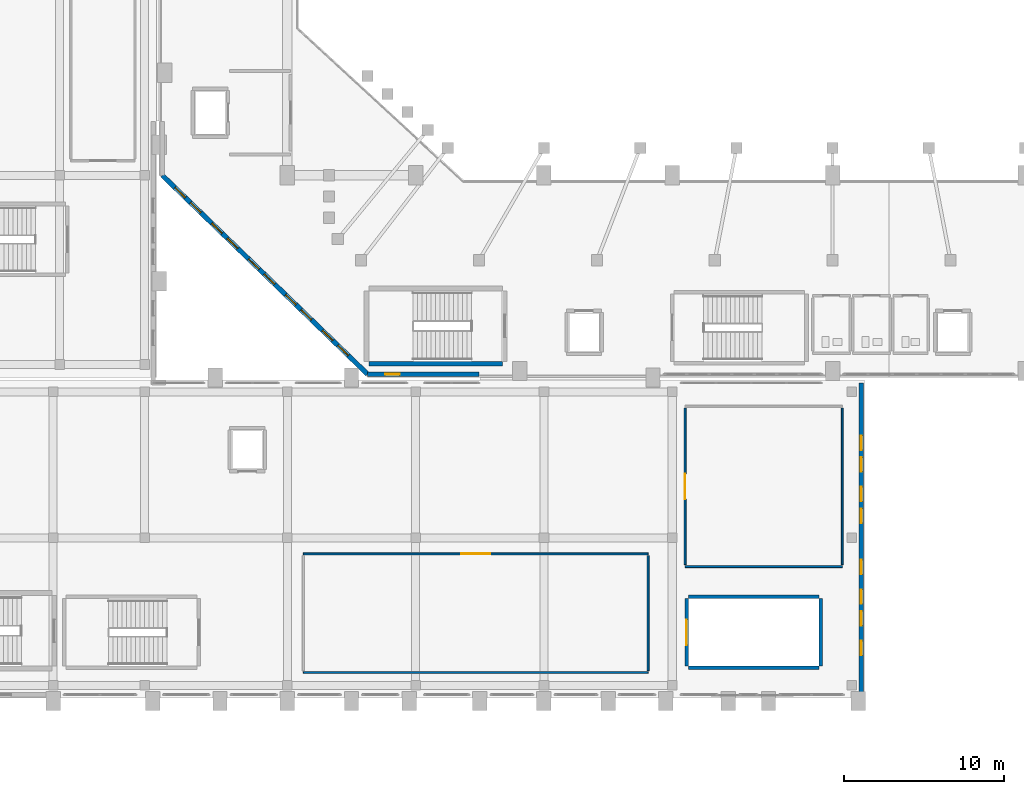
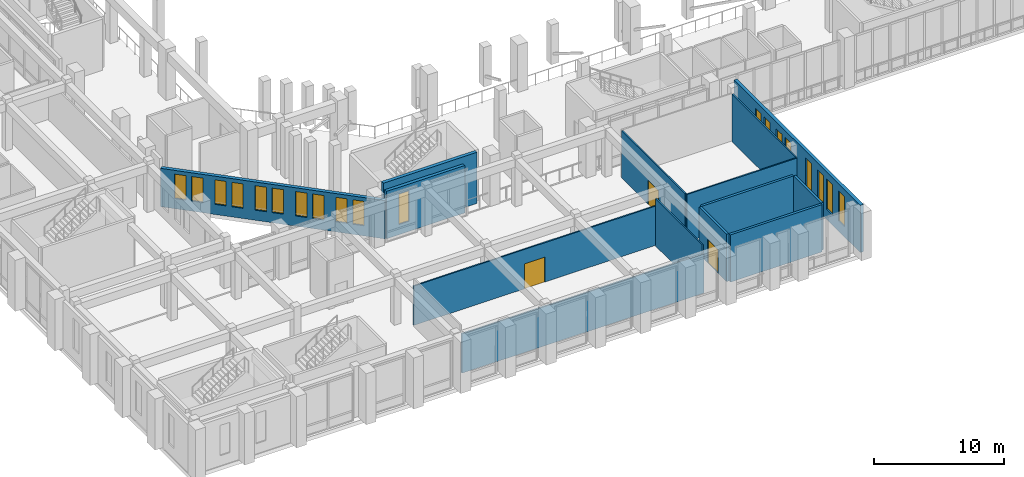
# One storey, part 90 of 126: 19 windows, 14 walls, 3 doors, 22 openings.
"""IFC4 building model written with IfcOpenShell, lengths in metres."""

import ifcopenshell
import ifcopenshell.guid

model = None  # the IFC model being written
_history = None  # IfcOwnerHistory: only IFC2X3 demands one
_inside = {}  # id of a spatial element -> (the spatial element, [elements in it])
_under = {}  # id of a project, library or spatial element -> (it, [spatial elements below it])
_declared = {}  # id of a project -> (the project, [libraries it declares])
_typed = {}  # id of a type object -> (the type object, [elements of that type])
_made_of = {}  # id of a material, layer set ... -> (it, [elements and type objects made of it])


def new_model(schema):
    """Start an empty IFC model of exactly this schema.

    Asked for "IFC4X3", IfcOpenShell would pick the latest addendum, in which some entities
    have other attributes; the version numbers below select the first issue.
    IFC2X3 requires an IfcOwnerHistory on every rooted entity: one is made here for all.
    """
    global model, _history
    if schema == "IFC4X3":
        model = ifcopenshell.file(schema_version=(4, 3, 0, 0))
    else:
        model = ifcopenshell.file(schema=schema)
    _inside.clear()
    _under.clear()
    _declared.clear()
    _typed.clear()
    _made_of.clear()
    _history = None
    if model.schema == "IFC2X3":
        org = make("IfcOrganization", Name="unknown")
        user = make(
            "IfcPersonAndOrganization",
            ThePerson=make("IfcPerson", FamilyName="unknown"),
            TheOrganization=org,
        )
        app = make(
            "IfcApplication",
            ApplicationDeveloper=org,
            Version="unknown",
            ApplicationFullName="unknown",
            ApplicationIdentifier="unknown",
        )
        _history = make(
            "IfcOwnerHistory",
            OwningUser=user,
            OwningApplication=app,
            ChangeAction="ADDED",
            CreationDate=0,
        )
    return model


def make(cls, **values):
    """One entity of the class cls with the attributes given. An attribute that is None is left unset."""
    return model.create_entity(
        cls, **{name: value for name, value in values.items() if value is not None}
    )


def rooted(cls, **values):
    """An entity with a GlobalId (a new one), such as an element, a storey or a relation."""
    return make(cls, GlobalId=ifcopenshell.guid.new(), OwnerHistory=_history, **values)


def si_unit(unit_type, name, prefix=None):
    """IfcSIUnit, for example si_unit("LENGTHUNIT", "METRE", prefix="MILLI")."""
    return make("IfcSIUnit", UnitType=unit_type, Prefix=prefix, Name=name)


def derived_unit(unit_type, elements):
    """IfcDerivedUnit: a product of units, each with its exponent."""
    return make(
        "IfcDerivedUnit",
        Elements=[
            make("IfcDerivedUnitElement", Unit=unit, Exponent=power)
            for unit, power in elements
        ],
        UnitType=unit_type,
    )


def assignment(units):
    """IfcUnitAssignment: the units of a project."""
    return None if units is None else make("IfcUnitAssignment", Units=units)


def point(xyz):
    """IfcCartesianPoint."""
    return None if xyz is None else make("IfcCartesianPoint", Coordinates=xyz)


def direction(xyz):
    """IfcDirection."""
    return None if xyz is None else make("IfcDirection", DirectionRatios=xyz)


def frame(location, z_axis=None, x_axis=None):
    """IfcAxis2Placement3D, a coordinate frame: its origin and axes. An axis left out is left unset."""
    return make(
        "IfcAxis2Placement3D",
        Location=point(location),
        Axis=direction(z_axis),
        RefDirection=direction(x_axis),
    )


def frame_2d(location, x_axis=None):
    """IfcAxis2Placement2D, a coordinate frame in the plane: its origin and x axis."""
    return make(
        "IfcAxis2Placement2D", Location=point(location), RefDirection=direction(x_axis)
    )


def origin():
    """The frame at (0, 0, 0) with its axes left unset."""
    return frame((0.0, 0.0, 0.0))


def place(relative_to, where):
    """IfcLocalPlacement: puts the frame where relative to a parent placement (None: the world)."""
    return make(
        "IfcLocalPlacement", PlacementRelTo=relative_to, RelativePlacement=where
    )


def context(
    kind, dimensions, precision=None, world=None, true_north=None, identifier=None
):
    """IfcGeometricRepresentationContext, for example the 3D "Model" context."""
    return make(
        "IfcGeometricRepresentationContext",
        ContextIdentifier=identifier,
        ContextType=kind,
        CoordinateSpaceDimension=dimensions,
        Precision=precision,
        WorldCoordinateSystem=world,
        TrueNorth=true_north,
    )


def subcontext(parent, identifier, kind, view, scale=None):
    """IfcGeometricRepresentationSubContext, for example "Body" below "Model"."""
    return make(
        "IfcGeometricRepresentationSubContext",
        ContextIdentifier=identifier,
        ContextType=kind,
        ParentContext=parent,
        TargetScale=scale,
        TargetView=view,
    )


def project(units=None, contexts=None):
    """IfcProject with its units and contexts."""
    return rooted(
        "IfcProject",
        Name="project",
        RepresentationContexts=contexts,
        UnitsInContext=assignment(units),
    )


def spatial(cls, under=None, at=None, **own):
    """A site, building, storey or space (cls), placed at a placement, below another one or the project."""
    s = rooted(cls, ObjectPlacement=at, **own)
    if under is not None:
        _under.setdefault(under.id(), (under, []))[1].append(s)
    return s


def profile(cls, at=None, kind="AREA", **sizes):
    """A parametric profile (cls). Its sizes go by their IFC names, for example OverallWidth=200.0."""
    return make(cls, ProfileType=kind, Position=at, **sizes)


def rectangle(**sizes):
    """IfcRectangleProfileDef."""
    return profile("IfcRectangleProfileDef", **sizes)


def extrude(swept, where, along, depth):
    """IfcExtrudedAreaSolid: the profile swept, set in the frame where, extruded along a direction by depth."""
    return make(
        "IfcExtrudedAreaSolid",
        SweptArea=swept,
        Position=where,
        ExtrudedDirection=direction(along),
        Depth=depth,
    )


def shape(context_of_items, identifier, shape_type, items):
    """IfcShapeRepresentation: the items that make up one representation, for example the "Body"."""
    return make(
        "IfcShapeRepresentation",
        ContextOfItems=context_of_items,
        RepresentationIdentifier=identifier,
        RepresentationType=shape_type,
        Items=items,
    )


def material(Name=None, Category=None):
    """IfcMaterial."""
    return make("IfcMaterial", Name=Name, Category=Category)


def layer(
    of_material, thickness, ventilated=None, Name=None, Category=None, Priority=None
):
    """IfcMaterialLayer: one layer of a wall or slab, of a material (None: an air gap)."""
    return make(
        "IfcMaterialLayer",
        Material=of_material,
        LayerThickness=thickness,
        IsVentilated=ventilated,
        Name=Name,
        Category=Category,
        Priority=Priority,
    )


def layer_set(layers, Name=None):
    """IfcMaterialLayerSet."""
    return make("IfcMaterialLayerSet", MaterialLayers=layers, LayerSetName=Name)


def made_of(thing, what):
    """Note that an element or type object is made of a material, layer set ...; save() writes the relation."""
    if what is not None:
        _made_of.setdefault(what.id(), (what, []))[1].append(thing)
    return thing


def type_object(cls, material=None, **own):
    """A type object (cls), such as IfcWallType, which elements share."""
    return made_of(rooted(cls, **own), material)


def element(
    cls,
    number,
    at=None,
    inside=None,
    cuts=None,
    type_object=None,
    material=None,
    context=None,
    identifier="Body",
    shape_type=None,
    held_by="IfcProductDefinitionShape",
    body=None,
    shapes=None,
    **own,
):
    """One element of the class cls, such as IfcWall. Its Tag is "e" and its number.

    at: its placement. inside: the storey or other place that contains it. cuts: it is an
    opening in that element (IfcRelVoidsElement). A single representation is given by context,
    identifier, shape_type and body (its items); several are given by shapes. held_by: the class
    of the entity that holds the representations. save() writes the other relations.
    """
    e = rooted(cls, Tag="e%d" % number, ObjectPlacement=at, **own)
    if body is not None:
        shapes = [shape(context, identifier, shape_type, body)]
    if shapes is not None:
        e.Representation = make(held_by, Representations=shapes)
    if inside is not None:
        _inside.setdefault(inside.id(), (inside, []))[1].append(e)
    if cuts is not None:
        rooted(
            "IfcRelVoidsElement", RelatingBuildingElement=cuts, RelatedOpeningElement=e
        )
    if type_object is not None:
        _typed.setdefault(type_object.id(), (type_object, []))[1].append(e)
    return made_of(e, material)


def fill(opening, filler):
    """IfcRelFillsElement: the door or window that sits in an opening."""
    return rooted(
        "IfcRelFillsElement",
        RelatingOpeningElement=opening,
        RelatedBuildingElement=filler,
    )


def aggregate(whole, parts):
    """IfcRelAggregates: a whole, such as a stair, and the parts it consists of."""
    return rooted("IfcRelAggregates", RelatingObject=whole, RelatedObjects=parts)


def save(model, path):
    """Write the relations noted so far, then the file.

    IfcRelAggregates (storeys below a building ...), IfcRelContainedInSpatialStructure (elements
    in a storey), IfcRelDefinesByType, IfcRelAssociatesMaterial and IfcRelDeclares: one each for
    every whole, place, type object, material and project.
    """
    for whole, parts in _under.values():
        aggregate(whole, parts)
    for where, things in _inside.values():
        rooted(
            "IfcRelContainedInSpatialStructure",
            RelatedElements=things,
            RelatingStructure=where,
        )
    for kind, things in _typed.values():
        rooted("IfcRelDefinesByType", RelatedObjects=things, RelatingType=kind)
    for what, things in _made_of.values():
        rooted("IfcRelAssociatesMaterial", RelatedObjects=things, RelatingMaterial=what)
    for by, libraries in _declared.values():
        rooted("IfcRelDeclares", RelatingContext=by, RelatedDefinitions=libraries)
    model.write(path)


model = new_model("IFC4")

# Units and contexts
model_context = context("Model", 3, precision=1e-05, world=origin(), true_north=direction((0.0, 1.0)))
body_context = subcontext(model_context, "Body", "Model", "MODEL_VIEW")
ifc_project = project(units=[si_unit("LENGTHUNIT", "METRE"), si_unit("AREAUNIT", "SQUARE_METRE"), si_unit("VOLUMEUNIT", "CUBIC_METRE"), si_unit("PLANEANGLEUNIT", "RADIAN"), si_unit("MASSUNIT", "GRAM", prefix="KILO"), derived_unit("THERMALTRANSMITTANCEUNIT", [(si_unit("MASSUNIT", "GRAM", prefix="KILO"), 1), (si_unit("TIMEUNIT", "SECOND"), -3), (si_unit("THERMODYNAMICTEMPERATUREUNIT", "KELVIN"), -1)])], contexts=[model_context])

# Site, building, storey
site_placement = place(None, origin())
site = spatial("IfcSite", under=ifc_project, at=site_placement, CompositionType="ELEMENT")
building_placement = place(site_placement, origin())
building = spatial("IfcBuilding", under=site, at=building_placement, Name="Valcora Ridge Arena", CompositionType="ELEMENT")
storey_placement = place(building_placement, frame((0.0, 0.0, 11.39990234375)))
storey = spatial("IfcBuildingStorey", under=building, at=storey_placement, Name="L02", CompositionType="ELEMENT", Elevation=11.39990234375)

# Wall, opening, window
ifc_material_1 = material(Name="Bush-hammered Andean travertine on concrete backup C40/50", Category="masonry")
ifc_layer_1 = layer(ifc_material_1, 0.280029296875, Name="Bush-hammered Andean travertine on concrete backup C40/50")
ifc_layer_set_1 = layer_set([ifc_layer_1], Name="Bush-hammered Andean travertine on concrete backup C40/50")
wall_type_1 = type_object("IfcWallType", Name="TY-WALL-EW-TRV-28-44", PredefinedType="STANDARD", material=ifc_layer_set_1)
wall_1_placement = place(storey_placement, frame((29.0, 20.199951171875, 0.0), z_axis=(0.0, 0.0, 1.0), x_axis=(1.0, 0.0, 0.0)))
wall_1 = element("IfcWall", 1, at=wall_1_placement, inside=storey, type_object=wall_type_1, Name="EW-TRV-28-44 WAL-EW-0050", PredefinedType="STANDARD", context=body_context, shape_type="SweptSolid", body=[
    extrude(rectangle(XDim=6.949951171875, YDim=0.280029296875, at=frame_2d((3.47509765625, 0.0))), origin(), (0.0, 0.0, 1.0), 4.4501953125),
])
opening_1_placement = place(wall_1_placement, frame((1.10009765625, 0.0, 0.949951171875)))
opening_1 = element("IfcOpeningElement", 2, at=opening_1_placement, cuts=wall_1, Name="Opening W-GLAN-90X285", PredefinedType="OPENING", context=body_context, shape_type="SweptSolid", body=[
    extrude(rectangle(XDim=0.89990234375, YDim=2.85009765625, at=frame_2d((0.449951171875, 1.425048828125))), frame((0.0, 0.14990234375, 0.0), z_axis=(0.0, -1.0, 0.0), x_axis=(1.0, 0.0, 0.0)), (0.0, 0.0, 1.0), 0.300048828125),
])
ifc_material_2 = material(Name="Low-iron solar-control double glazing SHGC 0.28", Category="glass")
window_type_1 = type_object("IfcWindowType", Name="TY-WINDOW-W-GLAN-90X285", PartitioningType="DOUBLE_PANEL_VERTICAL", PredefinedType="WINDOW", material=ifc_material_2)
window_1_placement = place(opening_1_placement, origin())
window_1 = element("IfcWindow", 3, at=window_1_placement, inside=storey, type_object=window_type_1, Name="W-GLAN-90X285 WIN-EX-0123", OverallHeight=2.85009765625, OverallWidth=0.89990234375, PartitioningType="DOUBLE_PANEL_VERTICAL", PredefinedType="WINDOW", context=body_context, shape_type="SweptSolid", body=[
    extrude(rectangle(XDim=0.89990234375, YDim=2.85009765625, at=frame_2d((0.449951171875, 1.425048828125))), frame((0.0, 0.030029296875, 0.0), z_axis=(0.0, -1.0, 0.0), x_axis=(1.0, 0.0, 0.0)), (0.0, 0.0, 1.0), 0.06005859375),
])
fill(opening_1, window_1)

# Wall, openings, windows
wall_2_placement = place(storey_placement, frame((59.780029296875, 0.219970703125, 0.0), z_axis=(0.0, 0.0, 1.0), x_axis=(0.0, 1.0, 0.0)))
wall_2 = element("IfcWall", 4, at=wall_2_placement, inside=storey, type_object=wall_type_1, Name="EW-TRV-28-44 WAL-EW-0086", PredefinedType="STANDARD", context=body_context, shape_type="SweptSolid", body=[
    extrude(rectangle(XDim=19.429931640625, YDim=0.280029296875, at=frame_2d((9.71484375, 0.0))), origin(), (0.0, 0.0, 1.0), 4.4501953125),
])
opening_2_placement = place(wall_2_placement, frame((2.449951171875, 0.0, 0.949951171875)))
opening_2 = element("IfcOpeningElement", 5, at=opening_2_placement, cuts=wall_2, Name="Opening W-GLAN-90X285", PredefinedType="OPENING", context=body_context, shape_type="SweptSolid", body=[
    extrude(rectangle(XDim=0.89990234375, YDim=2.85009765625, at=frame_2d((0.449951171875, 1.425048828125))), frame((0.0, 0.14990234375, 0.0), z_axis=(0.0, -1.0, 0.0), x_axis=(1.0, 0.0, 0.0)), (0.0, 0.0, 1.0), 0.300048828125),
])
opening_3_placement = place(wall_2_placement, frame((4.300048828125, 0.0, 0.949951171875)))
opening_3 = element("IfcOpeningElement", 6, at=opening_3_placement, cuts=wall_2, Name="Opening W-GLAN-90X285", PredefinedType="OPENING", context=body_context, shape_type="SweptSolid", body=[
    extrude(rectangle(XDim=0.89990234375, YDim=2.85009765625, at=frame_2d((0.449951171875, 1.425048828125))), frame((0.0, 0.14990234375, 0.0), z_axis=(0.0, -1.0, 0.0), x_axis=(1.0, 0.0, 0.0)), (0.0, 0.0, 1.0), 0.300048828125),
])
opening_4_placement = place(wall_2_placement, frame((5.64990234375, 0.0, 0.949951171875)))
opening_4 = element("IfcOpeningElement", 7, at=opening_4_placement, cuts=wall_2, Name="Opening W-GLAN-90X285", PredefinedType="OPENING", context=body_context, shape_type="SweptSolid", body=[
    extrude(rectangle(XDim=0.89990234375, YDim=2.85009765625, at=frame_2d((0.449951171875, 1.425048828125))), frame((0.0, 0.14990234375, 0.0), z_axis=(0.0, -1.0, 0.0), x_axis=(1.0, 0.0, 0.0)), (0.0, 0.0, 1.0), 0.300048828125),
])
opening_5_placement = place(wall_2_placement, frame((7.5, 0.0, 0.949951171875)))
opening_5 = element("IfcOpeningElement", 8, at=opening_5_placement, cuts=wall_2, Name="Opening W-GLAN-90X285", PredefinedType="OPENING", context=body_context, shape_type="SweptSolid", body=[
    extrude(rectangle(XDim=0.89990234375, YDim=2.85009765625, at=frame_2d((0.449951171875, 1.425048828125))), frame((0.0, 0.14990234375, 0.0), z_axis=(0.0, -1.0, 0.0), x_axis=(1.0, 0.0, 0.0)), (0.0, 0.0, 1.0), 0.300048828125),
])
opening_6_placement = place(wall_2_placement, frame((10.699951171875, 0.0, 0.949951171875)))
opening_6 = element("IfcOpeningElement", 9, at=opening_6_placement, cuts=wall_2, Name="Opening W-GLAN-90X285", PredefinedType="OPENING", context=body_context, shape_type="SweptSolid", body=[
    extrude(rectangle(XDim=0.89990234375, YDim=2.85009765625, at=frame_2d((0.449951171875, 1.425048828125))), frame((0.0, 0.14990234375, 0.0), z_axis=(0.0, -1.0, 0.0), x_axis=(1.0, 0.0, 0.0)), (0.0, 0.0, 1.0), 0.300048828125),
])
opening_7_placement = place(wall_2_placement, frame((12.050048828125, 0.0, 0.949951171875)))
opening_7 = element("IfcOpeningElement", 10, at=opening_7_placement, cuts=wall_2, Name="Opening W-GLAN-90X285", PredefinedType="OPENING", context=body_context, shape_type="SweptSolid", body=[
    extrude(rectangle(XDim=0.89990234375, YDim=2.85009765625, at=frame_2d((0.449951171875, 1.425048828125))), frame((0.0, 0.14990234375, 0.0), z_axis=(0.0, -1.0, 0.0), x_axis=(1.0, 0.0, 0.0)), (0.0, 0.0, 1.0), 0.300048828125),
])
opening_8_placement = place(wall_2_placement, frame((13.89990234375, 0.0, 0.949951171875)))
opening_8 = element("IfcOpeningElement", 11, at=opening_8_placement, cuts=wall_2, Name="Opening W-GLAN-90X285", PredefinedType="OPENING", context=body_context, shape_type="SweptSolid", body=[
    extrude(rectangle(XDim=0.89990234375, YDim=2.85009765625, at=frame_2d((0.449951171875, 1.425048828125))), frame((0.0, 0.14990234375, 0.0), z_axis=(0.0, -1.0, 0.0), x_axis=(1.0, 0.0, 0.0)), (0.0, 0.0, 1.0), 0.300048828125),
])
opening_9_placement = place(wall_2_placement, frame((15.25, 0.0, 0.949951171875)))
opening_9 = element("IfcOpeningElement", 12, at=opening_9_placement, cuts=wall_2, Name="Opening W-GLAN-90X285", PredefinedType="OPENING", context=body_context, shape_type="SweptSolid", body=[
    extrude(rectangle(XDim=0.89990234375, YDim=2.85009765625, at=frame_2d((0.449951171875, 1.425048828125))), frame((0.0, 0.14990234375, 0.0), z_axis=(0.0, -1.0, 0.0), x_axis=(1.0, 0.0, 0.0)), (0.0, 0.0, 1.0), 0.300048828125),
])
window_2_placement = place(opening_2_placement, origin())
window_2 = element("IfcWindow", 13, at=window_2_placement, inside=storey, type_object=window_type_1, Name="W-GLAN-90X285 WIN-EX-0251", OverallHeight=2.85009765625, OverallWidth=0.89990234375, PartitioningType="DOUBLE_PANEL_VERTICAL", PredefinedType="WINDOW", context=body_context, shape_type="SweptSolid", body=[
    extrude(rectangle(XDim=0.89990234375, YDim=2.85009765625, at=frame_2d((0.449951171875, 1.425048828125))), frame((0.0, 0.030029296875, 0.0), z_axis=(0.0, -1.0, 0.0), x_axis=(1.0, 0.0, 0.0)), (0.0, 0.0, 1.0), 0.06005859375),
])
fill(opening_2, window_2)
window_3_placement = place(opening_3_placement, origin())
window_3 = element("IfcWindow", 14, at=window_3_placement, inside=storey, type_object=window_type_1, Name="W-GLAN-90X285 WIN-EX-0252", OverallHeight=2.85009765625, OverallWidth=0.89990234375, PartitioningType="DOUBLE_PANEL_VERTICAL", PredefinedType="WINDOW", context=body_context, shape_type="SweptSolid", body=[
    extrude(rectangle(XDim=0.89990234375, YDim=2.85009765625, at=frame_2d((0.449951171875, 1.425048828125))), frame((0.0, 0.030029296875, 0.0), z_axis=(0.0, -1.0, 0.0), x_axis=(1.0, 0.0, 0.0)), (0.0, 0.0, 1.0), 0.06005859375),
])
fill(opening_3, window_3)
window_4_placement = place(opening_4_placement, origin())
window_4 = element("IfcWindow", 15, at=window_4_placement, inside=storey, type_object=window_type_1, Name="W-GLAN-90X285 WIN-EX-0253", OverallHeight=2.85009765625, OverallWidth=0.89990234375, PartitioningType="DOUBLE_PANEL_VERTICAL", PredefinedType="WINDOW", context=body_context, shape_type="SweptSolid", body=[
    extrude(rectangle(XDim=0.89990234375, YDim=2.85009765625, at=frame_2d((0.449951171875, 1.425048828125))), frame((0.0, 0.030029296875, 0.0), z_axis=(0.0, -1.0, 0.0), x_axis=(1.0, 0.0, 0.0)), (0.0, 0.0, 1.0), 0.06005859375),
])
fill(opening_4, window_4)
window_5_placement = place(opening_5_placement, origin())
window_5 = element("IfcWindow", 16, at=window_5_placement, inside=storey, type_object=window_type_1, Name="W-GLAN-90X285 WIN-EX-0254", OverallHeight=2.85009765625, OverallWidth=0.89990234375, PartitioningType="DOUBLE_PANEL_VERTICAL", PredefinedType="WINDOW", context=body_context, shape_type="SweptSolid", body=[
    extrude(rectangle(XDim=0.89990234375, YDim=2.85009765625, at=frame_2d((0.449951171875, 1.425048828125))), frame((0.0, 0.030029296875, 0.0), z_axis=(0.0, -1.0, 0.0), x_axis=(1.0, 0.0, 0.0)), (0.0, 0.0, 1.0), 0.06005859375),
])
fill(opening_5, window_5)
window_6_placement = place(opening_6_placement, origin())
window_6 = element("IfcWindow", 17, at=window_6_placement, inside=storey, type_object=window_type_1, Name="W-GLAN-90X285 WIN-EX-0255", OverallHeight=2.85009765625, OverallWidth=0.89990234375, PartitioningType="DOUBLE_PANEL_VERTICAL", PredefinedType="WINDOW", context=body_context, shape_type="SweptSolid", body=[
    extrude(rectangle(XDim=0.89990234375, YDim=2.85009765625, at=frame_2d((0.449951171875, 1.425048828125))), frame((0.0, 0.030029296875, 0.0), z_axis=(0.0, -1.0, 0.0), x_axis=(1.0, 0.0, 0.0)), (0.0, 0.0, 1.0), 0.06005859375),
])
fill(opening_6, window_6)
window_7_placement = place(opening_7_placement, origin())
window_7 = element("IfcWindow", 18, at=window_7_placement, inside=storey, type_object=window_type_1, Name="W-GLAN-90X285 WIN-EX-0256", OverallHeight=2.85009765625, OverallWidth=0.89990234375, PartitioningType="DOUBLE_PANEL_VERTICAL", PredefinedType="WINDOW", context=body_context, shape_type="SweptSolid", body=[
    extrude(rectangle(XDim=0.89990234375, YDim=2.85009765625, at=frame_2d((0.449951171875, 1.425048828125))), frame((0.0, 0.030029296875, 0.0), z_axis=(0.0, -1.0, 0.0), x_axis=(1.0, 0.0, 0.0)), (0.0, 0.0, 1.0), 0.06005859375),
])
fill(opening_7, window_7)
window_8_placement = place(opening_8_placement, origin())
window_8 = element("IfcWindow", 19, at=window_8_placement, inside=storey, type_object=window_type_1, Name="W-GLAN-90X285 WIN-EX-0257", OverallHeight=2.85009765625, OverallWidth=0.89990234375, PartitioningType="DOUBLE_PANEL_VERTICAL", PredefinedType="WINDOW", context=body_context, shape_type="SweptSolid", body=[
    extrude(rectangle(XDim=0.89990234375, YDim=2.85009765625, at=frame_2d((0.449951171875, 1.425048828125))), frame((0.0, 0.030029296875, 0.0), z_axis=(0.0, -1.0, 0.0), x_axis=(1.0, 0.0, 0.0)), (0.0, 0.0, 1.0), 0.06005859375),
])
fill(opening_8, window_8)
window_9_placement = place(opening_9_placement, origin())
window_9 = element("IfcWindow", 20, at=window_9_placement, inside=storey, type_object=window_type_1, Name="W-GLAN-90X285 WIN-EX-0258", OverallHeight=2.85009765625, OverallWidth=0.89990234375, PartitioningType="DOUBLE_PANEL_VERTICAL", PredefinedType="WINDOW", context=body_context, shape_type="SweptSolid", body=[
    extrude(rectangle(XDim=0.89990234375, YDim=2.85009765625, at=frame_2d((0.449951171875, 1.425048828125))), frame((0.0, 0.030029296875, 0.0), z_axis=(0.0, -1.0, 0.0), x_axis=(1.0, 0.0, 0.0)), (0.0, 0.0, 1.0), 0.06005859375),
])
fill(opening_9, window_9)

ifc_layer_2 = layer(ifc_material_1, 0.300048828125, Name="Bush-hammered Andean travertine on concrete backup C40/50")
ifc_layer_set_2 = layer_set([ifc_layer_2], Name="Bush-hammered Andean travertine on concrete backup C40/50")
wall_type_2 = type_object("IfcWallType", Name="TY-WALL-EW-TRV-30-36", PredefinedType="STANDARD", material=ifc_layer_set_2)
wall_3_placement = place(storey_placement, frame((16.199951171875, 32.60009765625, 0.0), z_axis=(0.0, 0.0, 1.0), x_axis=(0.718237441527, -0.695798086796, 0.0)))
wall_3 = element("IfcWall", 21, at=wall_3_placement, inside=storey, type_object=wall_type_2, Name="EW-TRV-30-36 WAL-EW-0048", PredefinedType="STANDARD", context=body_context, shape_type="SweptSolid", body=[
    extrude(rectangle(XDim=17.821533203125, YDim=0.300048828125, at=frame_2d((8.91064453125, 0.0))), origin(), (0.0, 0.0, 1.0), 3.60009765625),
])
opening_10_placement = place(wall_3_placement, frame((1.10009765625, 0.0, 0.949951171875)))
opening_10 = element("IfcOpeningElement", 22, at=opening_10_placement, cuts=wall_3, Name="Opening W-GLAN-90X230", PredefinedType="OPENING", context=body_context, shape_type="SweptSolid", body=[
    extrude(rectangle(XDim=0.89990234375, YDim=2.300048828125, at=frame_2d((0.449951171875, 1.14990234375))), frame((0.0, 0.159912109375, 0.0), z_axis=(0.0, -1.0, 0.0), x_axis=(1.0, 0.0, 0.0)), (0.0, 0.0, 1.0), 0.320068359375),
])
opening_11_placement = place(wall_3_placement, frame((2.449951171875, 0.0, 0.949951171875)))
opening_11 = element("IfcOpeningElement", 23, at=opening_11_placement, cuts=wall_3, Name="Opening W-GLAN-90X230", PredefinedType="OPENING", context=body_context, shape_type="SweptSolid", body=[
    extrude(rectangle(XDim=0.89990234375, YDim=2.300048828125, at=frame_2d((0.449951171875, 1.14990234375))), frame((0.0, 0.159912109375, 0.0), z_axis=(0.0, -1.0, 0.0), x_axis=(1.0, 0.0, 0.0)), (0.0, 0.0, 1.0), 0.320068359375),
])
opening_12_placement = place(wall_3_placement, frame((4.300048828125, 0.0, 0.949951171875)))
opening_12 = element("IfcOpeningElement", 24, at=opening_12_placement, cuts=wall_3, Name="Opening W-GLAN-90X230", PredefinedType="OPENING", context=body_context, shape_type="SweptSolid", body=[
    extrude(rectangle(XDim=0.89990234375, YDim=2.300048828125, at=frame_2d((0.449951171875, 1.14990234375))), frame((0.0, 0.159912109375, 0.0), z_axis=(0.0, -1.0, 0.0), x_axis=(1.0, 0.0, 0.0)), (0.0, 0.0, 1.0), 0.320068359375),
])
opening_13_placement = place(wall_3_placement, frame((5.64990234375, 0.0, 0.949951171875)))
opening_13 = element("IfcOpeningElement", 25, at=opening_13_placement, cuts=wall_3, Name="Opening W-GLAN-90X230", PredefinedType="OPENING", context=body_context, shape_type="SweptSolid", body=[
    extrude(rectangle(XDim=0.89990234375, YDim=2.300048828125, at=frame_2d((0.449951171875, 1.14990234375))), frame((0.0, 0.159912109375, 0.0), z_axis=(0.0, -1.0, 0.0), x_axis=(1.0, 0.0, 0.0)), (0.0, 0.0, 1.0), 0.320068359375),
])
opening_14_placement = place(wall_3_placement, frame((7.5, 0.0, 0.949951171875)))
opening_14 = element("IfcOpeningElement", 26, at=opening_14_placement, cuts=wall_3, Name="Opening W-GLAN-90X230", PredefinedType="OPENING", context=body_context, shape_type="SweptSolid", body=[
    extrude(rectangle(XDim=0.89990234375, YDim=2.300048828125, at=frame_2d((0.449951171875, 1.14990234375))), frame((0.0, 0.159912109375, 0.0), z_axis=(0.0, -1.0, 0.0), x_axis=(1.0, 0.0, 0.0)), (0.0, 0.0, 1.0), 0.320068359375),
])
opening_15_placement = place(wall_3_placement, frame((8.85009765625, 0.0, 0.949951171875)))
opening_15 = element("IfcOpeningElement", 27, at=opening_15_placement, cuts=wall_3, Name="Opening W-GLAN-90X230", PredefinedType="OPENING", context=body_context, shape_type="SweptSolid", body=[
    extrude(rectangle(XDim=0.89990234375, YDim=2.300048828125, at=frame_2d((0.449951171875, 1.14990234375))), frame((0.0, 0.159912109375, 0.0), z_axis=(0.0, -1.0, 0.0), x_axis=(1.0, 0.0, 0.0)), (0.0, 0.0, 1.0), 0.320068359375),
])
opening_16_placement = place(wall_3_placement, frame((10.699951171875, 0.0, 0.949951171875)))
opening_16 = element("IfcOpeningElement", 28, at=opening_16_placement, cuts=wall_3, Name="Opening W-GLAN-90X230", PredefinedType="OPENING", context=body_context, shape_type="SweptSolid", body=[
    extrude(rectangle(XDim=0.89990234375, YDim=2.300048828125, at=frame_2d((0.449951171875, 1.14990234375))), frame((0.0, 0.159912109375, 0.0), z_axis=(0.0, -1.0, 0.0), x_axis=(1.0, 0.0, 0.0)), (0.0, 0.0, 1.0), 0.320068359375),
])
opening_17_placement = place(wall_3_placement, frame((12.050048828125, 0.0, 0.949951171875)))
opening_17 = element("IfcOpeningElement", 29, at=opening_17_placement, cuts=wall_3, Name="Opening W-GLAN-90X230", PredefinedType="OPENING", context=body_context, shape_type="SweptSolid", body=[
    extrude(rectangle(XDim=0.89990234375, YDim=2.300048828125, at=frame_2d((0.449951171875, 1.14990234375))), frame((0.0, 0.159912109375, 0.0), z_axis=(0.0, -1.0, 0.0), x_axis=(1.0, 0.0, 0.0)), (0.0, 0.0, 1.0), 0.320068359375),
])
opening_18_placement = place(wall_3_placement, frame((13.89990234375, 0.0, 0.949951171875)))
opening_18 = element("IfcOpeningElement", 30, at=opening_18_placement, cuts=wall_3, Name="Opening W-GLAN-90X230", PredefinedType="OPENING", context=body_context, shape_type="SweptSolid", body=[
    extrude(rectangle(XDim=0.89990234375, YDim=2.300048828125, at=frame_2d((0.449951171875, 1.14990234375))), frame((0.0, 0.159912109375, 0.0), z_axis=(0.0, -1.0, 0.0), x_axis=(1.0, 0.0, 0.0)), (0.0, 0.0, 1.0), 0.320068359375),
])
opening_19_placement = place(wall_3_placement, frame((15.25, 0.0, 0.949951171875)))
opening_19 = element("IfcOpeningElement", 31, at=opening_19_placement, cuts=wall_3, Name="Opening W-GLAN-90X230", PredefinedType="OPENING", context=body_context, shape_type="SweptSolid", body=[
    extrude(rectangle(XDim=0.89990234375, YDim=2.300048828125, at=frame_2d((0.449951171875, 1.14990234375))), frame((0.0, 0.159912109375, 0.0), z_axis=(0.0, -1.0, 0.0), x_axis=(1.0, 0.0, 0.0)), (0.0, 0.0, 1.0), 0.320068359375),
])
window_type_2 = type_object("IfcWindowType", Name="TY-WINDOW-W-GLAN-90X230", PartitioningType="DOUBLE_PANEL_VERTICAL", PredefinedType="WINDOW", material=ifc_material_2)
window_10_placement = place(opening_10_placement, origin())
window_10 = element("IfcWindow", 32, at=window_10_placement, inside=storey, type_object=window_type_2, Name="W-GLAN-90X230 WIN-EX-0103", OverallHeight=2.300048828125, OverallWidth=0.89990234375, PartitioningType="DOUBLE_PANEL_VERTICAL", PredefinedType="WINDOW", context=body_context, shape_type="SweptSolid", body=[
    extrude(rectangle(XDim=0.89990234375, YDim=2.300048828125, at=frame_2d((0.449951171875, 1.14990234375))), frame((0.0, 0.030029296875, 0.0), z_axis=(0.0, -1.0, 0.0), x_axis=(1.0, 0.0, 0.0)), (0.0, 0.0, 1.0), 0.06005859375),
])
fill(opening_10, window_10)
window_11_placement = place(opening_11_placement, origin())
window_11 = element("IfcWindow", 33, at=window_11_placement, inside=storey, type_object=window_type_2, Name="W-GLAN-90X230 WIN-EX-0104", OverallHeight=2.300048828125, OverallWidth=0.89990234375, PartitioningType="DOUBLE_PANEL_VERTICAL", PredefinedType="WINDOW", context=body_context, shape_type="SweptSolid", body=[
    extrude(rectangle(XDim=0.89990234375, YDim=2.300048828125, at=frame_2d((0.449951171875, 1.14990234375))), frame((0.0, 0.030029296875, 0.0), z_axis=(0.0, -1.0, 0.0), x_axis=(1.0, 0.0, 0.0)), (0.0, 0.0, 1.0), 0.06005859375),
])
fill(opening_11, window_11)
window_12_placement = place(opening_12_placement, origin())
window_12 = element("IfcWindow", 34, at=window_12_placement, inside=storey, type_object=window_type_2, Name="W-GLAN-90X230 WIN-EX-0105", OverallHeight=2.300048828125, OverallWidth=0.89990234375, PartitioningType="DOUBLE_PANEL_VERTICAL", PredefinedType="WINDOW", context=body_context, shape_type="SweptSolid", body=[
    extrude(rectangle(XDim=0.89990234375, YDim=2.300048828125, at=frame_2d((0.449951171875, 1.14990234375))), frame((0.0, 0.030029296875, 0.0), z_axis=(0.0, -1.0, 0.0), x_axis=(1.0, 0.0, 0.0)), (0.0, 0.0, 1.0), 0.06005859375),
])
fill(opening_12, window_12)
window_13_placement = place(opening_13_placement, origin())
window_13 = element("IfcWindow", 35, at=window_13_placement, inside=storey, type_object=window_type_2, Name="W-GLAN-90X230 WIN-EX-0106", OverallHeight=2.300048828125, OverallWidth=0.89990234375, PartitioningType="DOUBLE_PANEL_VERTICAL", PredefinedType="WINDOW", context=body_context, shape_type="SweptSolid", body=[
    extrude(rectangle(XDim=0.89990234375, YDim=2.300048828125, at=frame_2d((0.449951171875, 1.14990234375))), frame((0.0, 0.030029296875, 0.0), z_axis=(0.0, -1.0, 0.0), x_axis=(1.0, 0.0, 0.0)), (0.0, 0.0, 1.0), 0.06005859375),
])
fill(opening_13, window_13)
window_14_placement = place(opening_14_placement, origin())
window_14 = element("IfcWindow", 36, at=window_14_placement, inside=storey, type_object=window_type_2, Name="W-GLAN-90X230 WIN-EX-0107", OverallHeight=2.300048828125, OverallWidth=0.89990234375, PartitioningType="DOUBLE_PANEL_VERTICAL", PredefinedType="WINDOW", context=body_context, shape_type="SweptSolid", body=[
    extrude(rectangle(XDim=0.89990234375, YDim=2.300048828125, at=frame_2d((0.449951171875, 1.14990234375))), frame((0.0, 0.030029296875, 0.0), z_axis=(0.0, -1.0, 0.0), x_axis=(1.0, 0.0, 0.0)), (0.0, 0.0, 1.0), 0.06005859375),
])
fill(opening_14, window_14)
window_15_placement = place(opening_15_placement, origin())
window_15 = element("IfcWindow", 37, at=window_15_placement, inside=storey, type_object=window_type_2, Name="W-GLAN-90X230 WIN-EX-0108", OverallHeight=2.300048828125, OverallWidth=0.89990234375, PartitioningType="DOUBLE_PANEL_VERTICAL", PredefinedType="WINDOW", context=body_context, shape_type="SweptSolid", body=[
    extrude(rectangle(XDim=0.89990234375, YDim=2.300048828125, at=frame_2d((0.449951171875, 1.14990234375))), frame((0.0, 0.030029296875, 0.0), z_axis=(0.0, -1.0, 0.0), x_axis=(1.0, 0.0, 0.0)), (0.0, 0.0, 1.0), 0.06005859375),
])
fill(opening_15, window_15)
window_16_placement = place(opening_16_placement, origin())
window_16 = element("IfcWindow", 38, at=window_16_placement, inside=storey, type_object=window_type_2, Name="W-GLAN-90X230 WIN-EX-0109", OverallHeight=2.300048828125, OverallWidth=0.89990234375, PartitioningType="DOUBLE_PANEL_VERTICAL", PredefinedType="WINDOW", context=body_context, shape_type="SweptSolid", body=[
    extrude(rectangle(XDim=0.89990234375, YDim=2.300048828125, at=frame_2d((0.449951171875, 1.14990234375))), frame((0.0, 0.030029296875, 0.0), z_axis=(0.0, -1.0, 0.0), x_axis=(1.0, 0.0, 0.0)), (0.0, 0.0, 1.0), 0.06005859375),
])
fill(opening_16, window_16)
window_17_placement = place(opening_17_placement, origin())
window_17 = element("IfcWindow", 39, at=window_17_placement, inside=storey, type_object=window_type_2, Name="W-GLAN-90X230 WIN-EX-0110", OverallHeight=2.300048828125, OverallWidth=0.89990234375, PartitioningType="DOUBLE_PANEL_VERTICAL", PredefinedType="WINDOW", context=body_context, shape_type="SweptSolid", body=[
    extrude(rectangle(XDim=0.89990234375, YDim=2.300048828125, at=frame_2d((0.449951171875, 1.14990234375))), frame((0.0, 0.030029296875, 0.0), z_axis=(0.0, -1.0, 0.0), x_axis=(1.0, 0.0, 0.0)), (0.0, 0.0, 1.0), 0.06005859375),
])
fill(opening_17, window_17)
window_18_placement = place(opening_18_placement, origin())
window_18 = element("IfcWindow", 40, at=window_18_placement, inside=storey, type_object=window_type_2, Name="W-GLAN-90X230 WIN-EX-0111", OverallHeight=2.300048828125, OverallWidth=0.89990234375, PartitioningType="DOUBLE_PANEL_VERTICAL", PredefinedType="WINDOW", context=body_context, shape_type="SweptSolid", body=[
    extrude(rectangle(XDim=0.89990234375, YDim=2.300048828125, at=frame_2d((0.449951171875, 1.14990234375))), frame((0.0, 0.030029296875, 0.0), z_axis=(0.0, -1.0, 0.0), x_axis=(1.0, 0.0, 0.0)), (0.0, 0.0, 1.0), 0.06005859375),
])
fill(opening_18, window_18)
window_19_placement = place(opening_19_placement, origin())
window_19 = element("IfcWindow", 41, at=window_19_placement, inside=storey, type_object=window_type_2, Name="W-GLAN-90X230 WIN-EX-0112", OverallHeight=2.300048828125, OverallWidth=0.89990234375, PartitioningType="DOUBLE_PANEL_VERTICAL", PredefinedType="WINDOW", context=body_context, shape_type="SweptSolid", body=[
    extrude(rectangle(XDim=0.89990234375, YDim=2.300048828125, at=frame_2d((0.449951171875, 1.14990234375))), frame((0.0, 0.030029296875, 0.0), z_axis=(0.0, -1.0, 0.0), x_axis=(1.0, 0.0, 0.0)), (0.0, 0.0, 1.0), 0.06005859375),
])
fill(opening_19, window_19)

# Wall
ifc_material_3 = material(Name="Acoustic metal-stud gypsum partition 120 mm")
ifc_layer_3 = layer(ifc_material_3, 0.1201171875, Name="Acoustic metal-stud gypsum partition 120 mm")
ifc_layer_set_3 = layer_set([ifc_layer_3], Name="Acoustic metal-stud gypsum partition 120 mm")
wall_type_3 = type_object("IfcWallType", Name="TY-WALL-IW-PART-120", PredefinedType="PARTITIONING", material=ifc_layer_set_3)
wall_4_placement = place(storey_placement, frame((25.0, 1.60009765625, 0.0), z_axis=(0.0, 0.0, 1.0), x_axis=(1.0, 0.0, 0.0)))
element("IfcWall", 42, at=wall_4_placement, inside=storey, type_object=wall_type_3, Name="IW-PART-120 WAL-IN-0371", PredefinedType="PARTITIONING", context=body_context, shape_type="SweptSolid", body=[
    extrude(rectangle(XDim=21.5, YDim=0.1201171875, at=frame_2d((10.75, 0.0))), origin(), (0.0, 0.0, 1.0), 3.7001953125),
])

# Wall, opening, door
wall_5_placement = place(storey_placement, frame((25.0, 9.0, 0.0), z_axis=(0.0, 0.0, 1.0), x_axis=(1.0, 0.0, 0.0)))
wall_5 = element("IfcWall", 43, at=wall_5_placement, inside=storey, type_object=wall_type_3, Name="IW-PART-120 WAL-IN-0372", PredefinedType="PARTITIONING", context=body_context, shape_type="SweptSolid", body=[
    extrude(rectangle(XDim=21.5, YDim=0.1201171875, at=frame_2d((10.75, 0.0))), origin(), (0.0, 0.0, 1.0), 3.7001953125),
])
opening_20_placement = place(wall_5_placement, frame((9.85009765625, 0.0, 0.0)))
opening_20 = element("IfcOpeningElement", 44, at=opening_20_placement, cuts=wall_5, Name="Opening D-PUB-1800", PredefinedType="OPENING", context=body_context, shape_type="SweptSolid", body=[
    extrude(rectangle(XDim=1.800048828125, YDim=2.35009765625, at=frame_2d((0.89990234375, 1.175048828125))), frame((0.0, 0.070068359375, 0.0), z_axis=(0.0, -1.0, 0.0), x_axis=(1.0, 0.0, 0.0)), (0.0, 0.0, 1.0), 0.14013671875),
])
ifc_material_4 = material(Name="Solid-core acoustic timber veneer door leaf", Category="wood")
door_type_1 = type_object("IfcDoorType", Name="TY-DOOR-D-PUB-1800", OperationType="NOTDEFINED", PredefinedType="DOOR", material=ifc_material_4)
door_1_placement = place(opening_20_placement, origin())
door_1 = element("IfcDoor", 45, at=door_1_placement, inside=storey, type_object=door_type_1, Name="D-PUB-1800 DOR-IN-0098", OperationType="DOUBLE_DOOR_SINGLE_SWING", OverallHeight=2.35009765625, OverallWidth=1.800048828125, PredefinedType="DOOR", context=body_context, shape_type="SweptSolid", body=[
    extrude(rectangle(XDim=1.800048828125, YDim=2.35009765625, at=frame_2d((0.89990234375, 1.175048828125))), frame((0.0, 0.02490234375, 0.0), z_axis=(0.0, -1.0, 0.0), x_axis=(1.0, 0.0, 0.0)), (0.0, 0.0, 1.0), 0.050048828125),
])
fill(opening_20, door_1)

# Walls
wall_6_placement = place(storey_placement, frame((46.5, 1.719970703125, 0.0), z_axis=(0.0, 0.0, 1.0), x_axis=(0.0, 1.0, 0.0)))
element("IfcWall", 46, at=wall_6_placement, inside=storey, type_object=wall_type_3, Name="IW-PART-120 WAL-IN-0374", PredefinedType="PARTITIONING", context=body_context, shape_type="SweptSolid", body=[
    extrude(rectangle(XDim=7.159912109375, YDim=0.1201171875, at=frame_2d((3.580078125, 0.0))), origin(), (0.0, 0.0, 1.0), 4.4501953125),
])
wall_7_placement = place(storey_placement, frame((48.800048828125, 8.199951171875, 0.0), z_axis=(0.0, 0.0, 1.0), x_axis=(1.0, 0.0, 0.0)))
element("IfcWall", 47, at=wall_7_placement, inside=storey, type_object=wall_type_3, Name="IW-PART-120 WAL-IN-0375", PredefinedType="PARTITIONING", context=body_context, shape_type="SweptSolid", body=[
    extrude(rectangle(XDim=9.800048828125, YDim=0.1201171875, at=frame_2d((4.89990234375, 0.0))), origin(), (0.0, 0.0, 1.0), 4.4501953125),
])

# Wall, opening, door
wall_8_placement = place(storey_placement, frame((48.800048828125, 8.320068359375, 0.0), z_axis=(0.0, 0.0, 1.0), x_axis=(0.0, 1.0, 0.0)))
wall_8 = element("IfcWall", 48, at=wall_8_placement, inside=storey, type_object=wall_type_3, Name="IW-PART-120 WAL-IN-0377", PredefinedType="PARTITIONING", context=body_context, shape_type="SweptSolid", body=[
    extrude(rectangle(XDim=9.760009765625, YDim=0.1201171875, at=frame_2d((4.8798828125, 0.0))), origin(), (0.0, 0.0, 1.0), 4.4501953125),
])
opening_21_placement = place(wall_8_placement, frame((4.080078125, 0.0, 0.0)))
opening_21 = element("IfcOpeningElement", 49, at=opening_21_placement, cuts=wall_8, Name="Opening D-PUB-1600", PredefinedType="OPENING", context=body_context, shape_type="SweptSolid", body=[
    extrude(rectangle(XDim=1.60009765625, YDim=2.25, at=frame_2d((0.800048828125, 1.125))), frame((0.0, 0.070068359375, 0.0), z_axis=(0.0, -1.0, 0.0), x_axis=(1.0, 0.0, 0.0)), (0.0, 0.0, 1.0), 0.14013671875),
])
door_type_2 = type_object("IfcDoorType", Name="TY-DOOR-D-PUB-1600", OperationType="NOTDEFINED", PredefinedType="DOOR", material=ifc_material_4)
door_2_placement = place(opening_21_placement, origin())
door_2 = element("IfcDoor", 50, at=door_2_placement, inside=storey, type_object=door_type_2, Name="D-PUB-1600 DOR-IN-0099", OperationType="DOUBLE_DOOR_SINGLE_SWING", OverallHeight=2.25, OverallWidth=1.60009765625, PredefinedType="DOOR", context=body_context, shape_type="SweptSolid", body=[
    extrude(rectangle(XDim=1.60009765625, YDim=2.25, at=frame_2d((0.800048828125, 1.125))), frame((0.0, 0.02490234375, 0.0), z_axis=(0.0, -1.0, 0.0), x_axis=(1.0, 0.0, 0.0)), (0.0, 0.0, 1.0), 0.050048828125),
])
fill(opening_21, door_2)

# Walls
wall_9_placement = place(storey_placement, frame((58.60009765625, 8.320068359375, 0.0), z_axis=(0.0, 0.0, 1.0), x_axis=(0.0, 1.0, 0.0)))
element("IfcWall", 51, at=wall_9_placement, inside=storey, type_object=wall_type_3, Name="IW-PART-120 WAL-IN-0378", PredefinedType="PARTITIONING", context=body_context, shape_type="SweptSolid", body=[
    extrude(rectangle(XDim=9.760009765625, YDim=0.1201171875, at=frame_2d((4.8798828125, 0.0))), origin(), (0.0, 0.0, 1.0), 4.4501953125),
])
ifc_material_5 = material(Name="Concrete C45/55", Category="concrete")
ifc_layer_4 = layer(ifc_material_5, 0.300048828125, Name="Concrete C45/55")
ifc_layer_set_4 = layer_set([ifc_layer_4], Name="Concrete C45/55")
wall_type_4 = type_object("IfcWallType", Name="TY-WALL-SW-C300-L", PredefinedType="SHEAR", material=ifc_layer_set_4)
wall_10_placement = place(storey_placement, frame((29.080078125, 20.85009765625, 0.0), z_axis=(0.0, 0.0, 1.0), x_axis=(1.0, 0.0, 0.0)))
element("IfcWall", 52, at=wall_10_placement, inside=storey, type_object=wall_type_4, Name="SW-C300-L WAL-CR-0013", PredefinedType="SHEAR", context=body_context, shape_type="SweptSolid", body=[
    extrude(rectangle(XDim=8.31982421875, YDim=0.300048828125, at=frame_2d((4.159912109375, 0.0))), origin(), (0.0, 0.0, 1.0), 4.800048828125),
])
ifc_material_6 = material(Name="Fire-resisting reinforced concrete enclosure C40/50 200 mm", Category="concrete")
ifc_layer_5 = layer(ifc_material_6, 0.219970703125, Name="Fire-resisting reinforced concrete enclosure C40/50 200 mm")
ifc_layer_set_5 = layer_set([ifc_layer_5], Name="Fire-resisting reinforced concrete enclosure C40/50 200 mm")
wall_type_5 = type_object("IfcWallType", Name="TY-WALL-SW-ES-220", PredefinedType="SHEAR", material=ifc_layer_set_5)
for number, where, z_axis, x_axis, name in (
    (53, (49.0, 1.889892578125, 0.0), (0.0, 0.0, 1.0), (1.0, 0.0, 0.0), "SW-ES-220 WAL-ES-0125"),
    (54, (49.0, 6.31005859375, 0.0), (0.0, 0.0, 1.0), (1.0, 0.0, 0.0), "SW-ES-220 WAL-ES-0126"),
):
    element("IfcWall", number, at=place(storey_placement, frame(where, z_axis=z_axis, x_axis=x_axis)), inside=storey, type_object=wall_type_5, Name=name, PredefinedType="SHEAR", context=body_context, shape_type="SweptSolid", body=[
        extrude(rectangle(XDim=8.159912109375, YDim=0.219970703125, at=frame_2d((4.080078125, 0.0))), origin(), (0.0, 0.0, 1.0), 4.4501953125),
    ])

# Wall, opening, door
wall_11_placement = place(storey_placement, frame((48.889892578125, 2.0, 0.0), z_axis=(0.0, 0.0, 1.0), x_axis=(0.0, 1.0, 0.0)))
wall_11 = element("IfcWall", 55, at=wall_11_placement, inside=storey, type_object=wall_type_5, Name="SW-ES-220 WAL-ES-0127", PredefinedType="SHEAR", context=body_context, shape_type="SweptSolid", body=[
    extrude(rectangle(XDim=4.199951171875, YDim=0.219970703125, at=frame_2d((2.10009765625, 0.0))), origin(), (0.0, 0.0, 1.0), 4.4501953125),
])
opening_22_placement = place(wall_11_placement, frame((1.300048828125, 0.0, 0.0)))
opening_22 = element("IfcOpeningElement", 56, at=opening_22_placement, cuts=wall_11, Name="Opening FD-02", PredefinedType="OPENING", context=body_context, shape_type="SweptSolid", body=[
    extrude(rectangle(XDim=1.60009765625, YDim=2.199951171875, at=frame_2d((0.800048828125, 1.10009765625))), frame((0.0, 0.119873046875, 0.0), z_axis=(0.0, -1.0, 0.0), x_axis=(1.0, 0.0, 0.0)), (0.0, 0.0, 1.0), 0.239990234375),
])
ifc_material_7 = material(Name="Insulated fire-rated steel door leaf", Category="steel")
door_type_3 = type_object("IfcDoorType", Name="TY-DOOR-FD-02", OperationType="NOTDEFINED", PredefinedType="DOOR", material=ifc_material_7)
door_3_placement = place(opening_22_placement, origin())
door_3 = element("IfcDoor", 57, at=door_3_placement, inside=storey, type_object=door_type_3, Name="FD-02 DOR-ES-0028", OperationType="DOUBLE_DOOR_SINGLE_SWING", OverallHeight=2.199951171875, OverallWidth=1.60009765625, PredefinedType="DOOR", context=body_context, shape_type="SweptSolid", body=[
    extrude(rectangle(XDim=1.60009765625, YDim=2.199951171875, at=frame_2d((0.800048828125, 1.10009765625))), frame((0.0, 0.02490234375, 0.0), z_axis=(0.0, -1.0, 0.0), x_axis=(1.0, 0.0, 0.0)), (0.0, 0.0, 1.0), 0.050048828125),
])
fill(opening_22, door_3)

# Wall
wall_12_placement = place(storey_placement, frame((57.27001953125, 2.0, 0.0), z_axis=(0.0, 0.0, 1.0), x_axis=(0.0, 1.0, 0.0)))
element("IfcWall", 58, at=wall_12_placement, inside=storey, type_object=wall_type_5, Name="SW-ES-220 WAL-ES-0128", PredefinedType="SHEAR", context=body_context, shape_type="SweptSolid", body=[
    extrude(rectangle(XDim=4.199951171875, YDim=0.219970703125, at=frame_2d((2.10009765625, 0.0))), origin(), (0.0, 0.0, 1.0), 4.4501953125),
])

save(model, "model.ifc")
